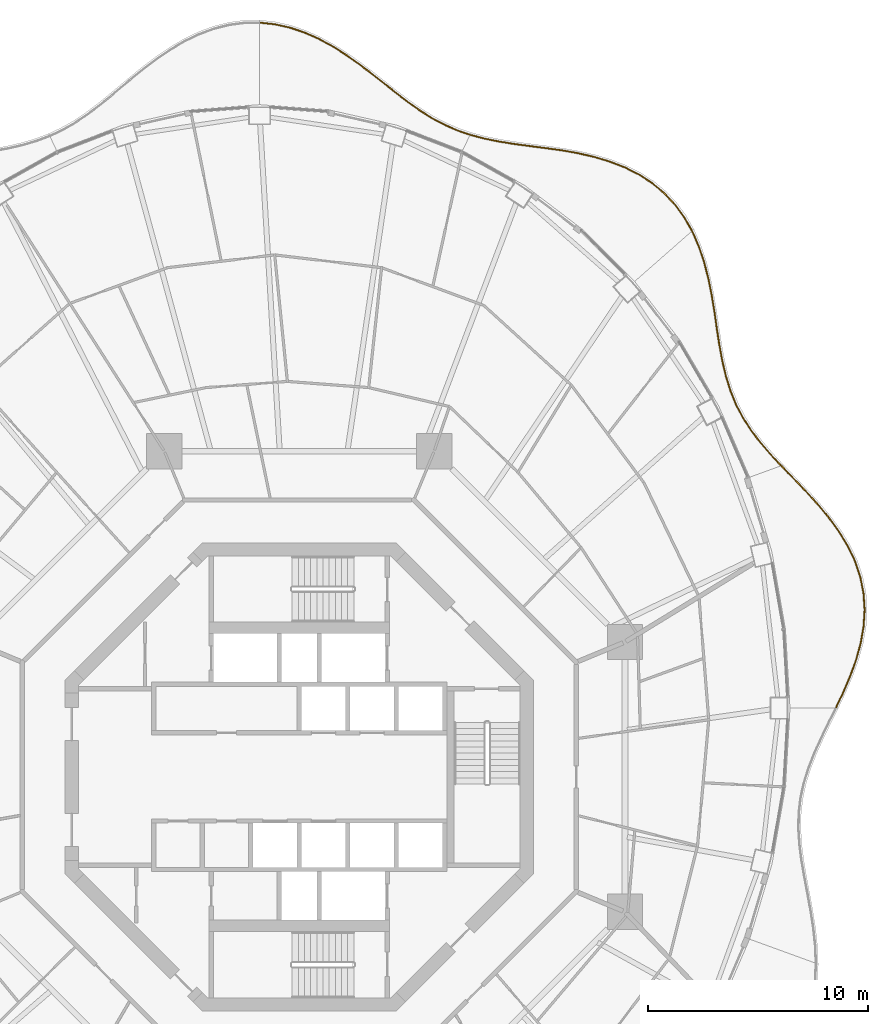
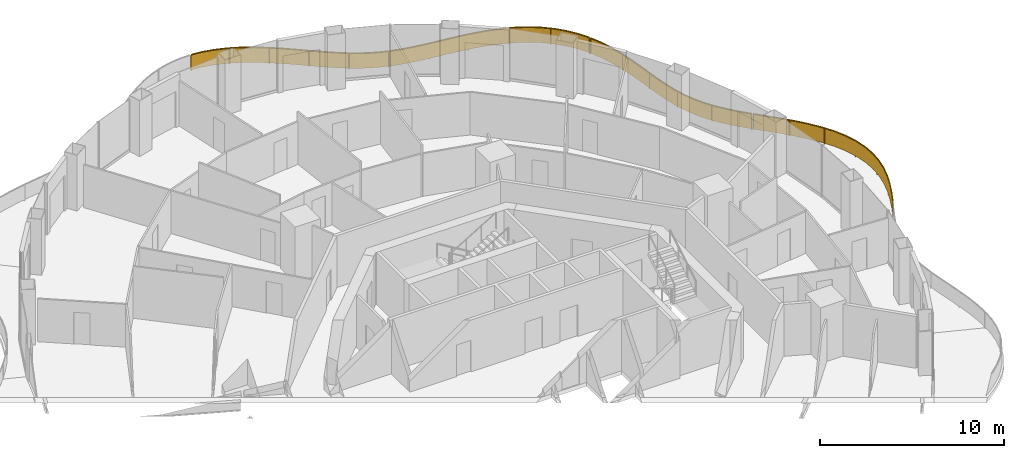
# One storey, part 18 of 18: 4 railings.
"""IFC4 building model written with IfcOpenShell, lengths in metres."""

from ifc_helpers import new_model, si_unit, direction, frame, origin, origin_2d, place, context, subcontext, project, spatial, polyline, rectangle, outline, extrude, material, type_object, element, save


model = new_model("IFC4")

# Units and contexts
model_context = context("Model", 3, precision=1e-05, world=origin(), true_north=direction((0.0, 1.0)))
body_context = subcontext(model_context, "Body", "Model", "MODEL_VIEW")
ifc_project = project(units=[si_unit("LENGTHUNIT", "METRE"), si_unit("AREAUNIT", "SQUARE_METRE"), si_unit("VOLUMEUNIT", "CUBIC_METRE"), si_unit("PLANEANGLEUNIT", "RADIAN"), si_unit("MASSUNIT", "GRAM", prefix="KILO")], contexts=[model_context])

# Site, building, storey
site_placement = place(None, origin())
site = spatial("IfcSite", under=ifc_project, at=site_placement, CompositionType="ELEMENT")
building_placement = place(site_placement, origin())
building = spatial("IfcBuilding", under=site, at=building_placement, Name="Nagisa Residences", CompositionType="ELEMENT")
storey_placement = place(building_placement, frame((0.0, 0.0, 234.39990234375)))
storey = spatial("IfcBuildingStorey", under=building, at=storey_placement, Name="L59", CompositionType="ELEMENT", Elevation=234.39990234375)

# Railings
ifc_material = material(Name="Stainless steel 316", Category="steel")
railing_type = type_object("IfcRailingType", Name="BALCONY GUARD 1100", PredefinedType="BALUSTRADE", material=ifc_material)
railing_1_placement = place(storey_placement, frame((24.3603515625, 3.15185546875, 0.0)))
element("IfcRailing", 1, at=railing_1_placement, inside=storey, type_object=railing_type, Name="guard:L59:bal00-0", PredefinedType="BALUSTRADE", context=body_context, shape_type="SweptSolid", body=[
    extrude(outline(polyline([(0.302001953125, 0.692138671875), (-0.022705078125, 0.0107421875), (0.022705078125, -0.0107421875), (0.347412109375, 0.671630859375), (0.66357421875, 1.40966796875), (0.9345703125, 2.16064453125), (1.143310546875, 2.92041015625), (1.275390625, 3.68408203125), (1.321044921875, 4.4326171875), (1.2705078125, 5.1875), (1.12255859375, 5.927978515625), (0.880126953125, 6.649169921875), (0.5498046875, 7.34716796875), (0.14599609375, 8.00439453125), (-0.32373046875, 8.64794921875), (-0.839111328125, 9.264892578125), (-1.382080078125, 9.857666015625), (-1.933349609375, 10.431640625), (-2.4462890625, 10.959716796875), (-2.482421875, 10.925048828125), (-1.969482421875, 10.39697265625), (-1.418701171875, 9.823486328125), (-0.876708984375, 9.231689453125), (-0.36328125, 8.6171875), (0.1044921875, 7.9765625), (0.505859375, 7.3232421875), (0.833740234375, 6.630615234375), (1.07421875, 5.915283203125), (1.220703125, 5.1806640625), (1.270751953125, 4.4326171875), (1.2255859375, 3.68994140625), (1.094482421875, 2.93115234375), (0.88671875, 2.17578125), (0.6171875, 1.42822265625), (0.302001953125, 0.692138671875)])), frame((0.0, 0.0, 1.050048828125)), (0.0, 0.0, 1.0), 0.050048828125),
    extrude(outline(polyline([(0.318359375, 0.684814453125), (-0.00634765625, 0.0029296875), (0.00634765625, -0.0029296875), (0.3310546875, 0.678955078125), (0.64697265625, 1.416259765625), (0.917236328125, 2.166015625), (1.125732421875, 2.92431640625), (1.257568359375, 3.686279296875), (1.302978515625, 4.4326171875), (1.25244140625, 5.18505859375), (1.105224609375, 5.92333984375), (0.863525390625, 6.642578125), (0.533935546875, 7.338623046875), (0.131103515625, 7.994384765625), (-0.337890625, 8.636962890625), (-0.8525390625, 9.2529296875), (-1.395263671875, 9.845458984375), (-1.9462890625, 10.419189453125), (-2.459228515625, 10.947265625), (-2.469482421875, 10.9375), (-1.95654296875, 10.409423828125), (-1.405517578125, 9.835693359375), (-0.86328125, 9.24365234375), (-0.34912109375, 8.628173828125), (0.119384765625, 7.986572265625), (0.521728515625, 7.331787109375), (0.850341796875, 6.63720703125), (1.091552734375, 5.919921875), (1.23876953125, 5.18310546875), (1.288818359375, 4.4326171875), (1.243408203125, 3.687744140625), (1.112060546875, 2.92724609375), (0.904052734375, 2.17041015625), (0.6337890625, 1.421630859375), (0.318359375, 0.684814453125)])), frame((0.0, 0.0, 0.06005859375)), (0.0, 0.0, 1.0), 0.989990234375),
    extrude(rectangle(XDim=0.0400390625, YDim=0.0400390625, at=origin_2d()), origin(), (0.0, 0.0, 1.0), 1.050048828125),
    extrude(rectangle(XDim=0.0400390625, YDim=0.0400390625, at=origin_2d()), frame((0.812744140625, 1.897216796875, 0.0)), (0.0, 0.0, 1.0), 1.050048828125),
    extrude(rectangle(XDim=0.0400390625, YDim=0.0400390625, at=origin_2d()), frame((1.263916015625, 3.905517578125, 0.0)), (0.0, 0.0, 1.0), 1.050048828125),
    extrude(rectangle(XDim=0.0400390625, YDim=0.0400390625, at=origin_2d()), frame((1.088134765625, 5.9521484375, 0.0)), (0.0, 0.0, 1.0), 1.050048828125),
    extrude(rectangle(XDim=0.0400390625, YDim=0.0400390625, at=origin_2d()), frame((0.229248046875, 7.8212890625, 0.0)), (0.0, 0.0, 1.0), 1.050048828125),
    extrude(rectangle(XDim=0.0400390625, YDim=0.0400390625, at=origin_2d()), frame((-1.039794921875, 9.447021484375, 0.0)), (0.0, 0.0, 1.0), 1.050048828125),
    extrude(rectangle(XDim=0.0400390625, YDim=0.0400390625, at=origin_2d()), frame((-2.46435546875, 10.9423828125, 0.0)), (0.0, 0.0, 1.0), 1.050048828125),
])
railing_2_placement = place(storey_placement, frame((21.8427734375, 14.147216796875, 0.0)))
element("IfcRailing", 2, at=railing_2_placement, inside=storey, type_object=railing_type, Name="guard:L59:bal01-0", PredefinedType="BALUSTRADE", context=body_context, shape_type="SweptSolid", body=[
    extrude(outline(polyline([(-0.490478515625, 0.48876953125), (-0.018310546875, -0.01708984375), (0.018310546875, 0.01708984375), (-0.453369140625, 0.52197265625), (-0.916259765625, 1.0625), (-1.332275390625, 1.612548828125), (-1.6953125, 2.179443359375), (-2.002685546875, 2.76953125), (-2.248779296875, 3.37451171875), (-2.45263671875, 4.023681640625), (-2.615234375, 4.704833984375), (-2.74755859375, 5.416748046875), (-2.863037109375, 6.15478515625), (-2.9677734375, 6.900634765625), (-3.09375, 7.670654296875), (-3.247314453125, 8.441650390625), (-3.442138671875, 9.202392578125), (-3.690185546875, 9.940673828125), (-3.979736328125, 10.6015625), (-4.025634765625, 10.58154296875), (-3.737060546875, 9.922607421875), (-3.489990234375, 9.188232421875), (-3.296142578125, 8.430419921875), (-3.14306640625, 7.661865234375), (-3.01708984375, 6.893310546875), (-2.912353515625, 6.1474609375), (-2.796875, 5.408447265625), (-2.6640625, 4.694580078125), (-2.5009765625, 4.010498046875), (-2.296142578125, 3.357421875), (-2.048095703125, 2.74853515625), (-1.73876953125, 2.154541015625), (-1.373291015625, 1.583740234375), (-0.955322265625, 1.03125), (-0.490478515625, 0.48876953125)])), frame((0.0, 0.0, 1.050048828125)), (0.0, 0.0, 1.0), 0.050048828125),
    extrude(outline(polyline([(-0.47705078125, 0.500732421875), (-0.005126953125, -0.0048828125), (0.005126953125, 0.0048828125), (-0.466796875, 0.510009765625), (-0.930419921875, 1.05126953125), (-1.346923828125, 1.60205078125), (-1.7109375, 2.17041015625), (-2.01904296875, 2.761962890625), (-2.265869140625, 3.368408203125), (-2.469970703125, 4.01904296875), (-2.6328125, 4.701171875), (-2.765380859375, 5.413818359375), (-2.880859375, 6.152099609375), (-2.985595703125, 6.89794921875), (-3.111572265625, 7.66748046875), (-3.264892578125, 8.4375), (-3.459228515625, 9.197265625), (-3.70703125, 9.93408203125), (-3.996337890625, 10.594482421875), (-4.009033203125, 10.588623046875), (-3.72021484375, 9.92919921875), (-3.472900390625, 9.193359375), (-3.278564453125, 8.4345703125), (-3.125244140625, 7.6650390625), (-2.999267578125, 6.89599609375), (-2.89453125, 6.150146484375), (-2.779052734375, 5.411376953125), (-2.646484375, 4.6982421875), (-2.483642578125, 4.01513671875), (-2.279052734375, 3.363525390625), (-2.03173828125, 2.756103515625), (-1.72314453125, 2.16357421875), (-1.358642578125, 1.59423828125), (-0.941162109375, 1.04248046875), (-0.47705078125, 0.500732421875)])), frame((0.0, 0.0, 0.06005859375)), (0.0, 0.0, 1.0), 0.989990234375),
    extrude(rectangle(XDim=0.0400390625, YDim=0.0400390625, at=origin_2d()), origin(), (0.0, 0.0, 1.0), 1.050048828125),
    extrude(rectangle(XDim=0.0400390625, YDim=0.0400390625, at=origin_2d()), frame((-1.46826171875, 1.778564453125, 0.0)), (0.0, 0.0, 1.0), 1.050048828125),
    extrude(rectangle(XDim=0.0400390625, YDim=0.0400390625, at=origin_2d()), frame((-2.429931640625, 3.86767578125, 0.0)), (0.0, 0.0, 1.0), 1.050048828125),
    extrude(rectangle(XDim=0.0400390625, YDim=0.0400390625, at=origin_2d()), frame((-2.884521484375, 6.130126953125, 0.0)), (0.0, 0.0, 1.0), 1.050048828125),
    extrude(rectangle(XDim=0.0400390625, YDim=0.0400390625, at=origin_2d()), frame((-3.26611328125, 8.40771484375, 0.0)), (0.0, 0.0, 1.0), 1.050048828125),
    extrude(rectangle(XDim=0.0400390625, YDim=0.0400390625, at=origin_2d()), frame((-4.002685546875, 10.591552734375, 0.0)), (0.0, 0.0, 1.0), 1.050048828125),
])
railing_3_placement = place(storey_placement, frame((17.805908203125, 24.80810546875, 0.0)))
element("IfcRailing", 3, at=railing_3_placement, inside=storey, type_object=railing_type, Name="guard:L59:bal02-0", PredefinedType="BALUSTRADE", context=body_context, shape_type="SweptSolid", body=[
    extrude(outline(polyline([(-0.354736328125, 0.572998046875), (-0.021728515625, -0.012451171875), (0.021728515625, 0.012451171875), (-0.312744140625, 0.600341796875), (-0.73681640625, 1.178466796875), (-1.225341796875, 1.69921875), (-1.77490234375, 2.157958984375), (-2.38037109375, 2.55224609375), (-3.021240234375, 2.8720703125), (-3.713134765625, 3.1416015625), (-4.432861328125, 3.3564453125), (-5.17041015625, 3.5244140625), (-5.914306640625, 3.656005859375), (-6.641357421875, 3.754150390625), (-7.369873046875, 3.84912109375), (-8.079833984375, 3.945068359375), (-8.765869140625, 4.054931640625), (-9.4248046875, 4.18994140625), (-10.016357421875, 4.34765625), (-10.029052734375, 4.29931640625), (-9.4365234375, 4.14111328125), (-8.774658203125, 4.005615234375), (-8.087158203125, 3.895751953125), (-7.376708984375, 3.79931640625), (-6.647705078125, 3.704345703125), (-5.922119140625, 3.606689453125), (-5.18017578125, 3.4755859375), (-4.445556640625, 3.30810546875), (-3.729248046875, 3.09423828125), (-3.041748046875, 2.826171875), (-2.4052734375, 2.5087890625), (-1.8046875, 2.117431640625), (-1.259521484375, 1.66259765625), (-0.775390625, 1.146240234375), (-0.354736328125, 0.572998046875)])), frame((0.0, 0.0, 1.050048828125)), (0.0, 0.0, 1.0), 0.050048828125),
    extrude(outline(polyline([(-0.339599609375, 0.582763671875), (-0.006103515625, -0.00341796875), (0.006103515625, 0.00341796875), (-0.327880859375, 0.590576171875), (-0.750732421875, 1.166748046875), (-1.237548828125, 1.68603515625), (-1.78564453125, 2.143310546875), (-2.389404296875, 2.53662109375), (-3.028564453125, 2.85546875), (-3.718994140625, 3.12451171875), (-4.4375, 3.339111328125), (-5.173828125, 3.5068359375), (-5.917236328125, 3.63818359375), (-6.6435546875, 3.736083984375), (-7.372314453125, 3.8310546875), (-8.08251953125, 3.92724609375), (-8.76904296875, 4.037109375), (-9.428955078125, 4.17236328125), (-10.02099609375, 4.330322265625), (-10.0244140625, 4.316650390625), (-9.432373046875, 4.15869140625), (-8.771484375, 4.0234375), (-8.08447265625, 3.91357421875), (-7.374267578125, 3.8173828125), (-6.6455078125, 3.722412109375), (-5.919189453125, 3.62451171875), (-5.1767578125, 3.4931640625), (-4.44091796875, 3.325439453125), (-3.723388671875, 3.111328125), (-3.034423828125, 2.8427734375), (-2.396240234375, 2.5244140625), (-1.7939453125, 2.132080078125), (-1.247314453125, 1.67578125), (-0.761474609375, 1.157958984375), (-0.339599609375, 0.582763671875)])), frame((0.0, 0.0, 0.06005859375)), (0.0, 0.0, 1.0), 0.989990234375),
    extrude(rectangle(XDim=0.0400390625, YDim=0.0400390625, at=origin_2d()), origin(), (0.0, 0.0, 1.0), 1.050048828125),
    extrude(rectangle(XDim=0.0400390625, YDim=0.0400390625, at=origin_2d()), frame((-1.382568359375, 1.7978515625, 0.0)), (0.0, 0.0, 1.0), 1.050048828125),
    extrude(rectangle(XDim=0.0400390625, YDim=0.0400390625, at=origin_2d()), frame((-3.328369140625, 2.96484375, 0.0)), (0.0, 0.0, 1.0), 1.050048828125),
    extrude(rectangle(XDim=0.0400390625, YDim=0.0400390625, at=origin_2d()), frame((-5.5263671875, 3.56201171875, 0.0)), (0.0, 0.0, 1.0), 1.050048828125),
    extrude(rectangle(XDim=0.0400390625, YDim=0.0400390625, at=origin_2d()), frame((-7.7861328125, 3.880126953125, 0.0)), (0.0, 0.0, 1.0), 1.050048828125),
    extrude(rectangle(XDim=0.0400390625, YDim=0.0400390625, at=origin_2d()), frame((-10.022705078125, 4.323486328125, 0.0)), (0.0, 0.0, 1.0), 1.050048828125),
])
railing_4_placement = place(storey_placement, frame((7.716064453125, 29.150634765625, 0.0)))
element("IfcRailing", 4, at=railing_4_placement, inside=storey, type_object=railing_type, Name="guard:L59:bal03-0", PredefinedType="BALUSTRADE", context=body_context, shape_type="SweptSolid", body=[
    extrude(outline(polyline([(-0.5546875, 0.166259765625), (-0.00830078125, -0.023681640625), (0.00830078125, 0.023681640625), (-0.53662109375, 0.213134765625), (-1.10107421875, 0.459228515625), (-1.650146484375, 0.750732421875), (-2.189208984375, 1.08544921875), (-2.723876953125, 1.459716796875), (-3.244384765625, 1.861083984375), (-3.79052734375, 2.291015625), (-4.35009765625, 2.732421875), (-4.927978515625, 3.1728515625), (-5.52685546875, 3.597900390625), (-6.131591796875, 3.991455078125), (-6.775146484375, 4.3447265625), (-7.440673828125, 4.642578125), (-8.123291015625, 4.87353515625), (-8.819580078125, 5.029541015625), (-9.474853515625, 5.099609375), (-9.480224609375, 5.0498046875), (-8.827880859375, 4.980224609375), (-8.136962890625, 4.8251953125), (-7.458740234375, 4.595703125), (-6.797607421875, 4.2998046875), (-6.157470703125, 3.948486328125), (-5.55517578125, 3.556396484375), (-4.957763671875, 3.13232421875), (-4.380859375, 2.69287109375), (-3.8212890625, 2.25146484375), (-3.275146484375, 1.821533203125), (-2.753662109375, 1.419189453125), (-2.216552734375, 1.04345703125), (-1.675048828125, 0.707275390625), (-1.123046875, 0.414306640625), (-0.5546875, 0.166259765625)])), frame((0.0, 0.0, 1.050048828125)), (0.0, 0.0, 1.0), 0.050048828125),
    extrude(outline(polyline([(-0.548095703125, 0.18310546875), (-0.002197265625, -0.006591796875), (0.002197265625, 0.006591796875), (-0.543212890625, 0.1962890625), (-1.109130859375, 0.443115234375), (-1.6591796875, 0.735107421875), (-2.198974609375, 1.0703125), (-2.734619140625, 1.445068359375), (-3.25537109375, 1.846923828125), (-3.801513671875, 2.27685546875), (-4.361083984375, 2.71826171875), (-4.938720703125, 3.158203125), (-5.537109375, 3.5830078125), (-6.140869140625, 3.97607421875), (-6.783203125, 4.32861328125), (-7.447265625, 4.625732421875), (-8.128173828125, 4.856201171875), (-8.822509765625, 5.01171875), (-9.476806640625, 5.081787109375), (-9.478271484375, 5.067626953125), (-8.824951171875, 4.998046875), (-8.132080078125, 4.842529296875), (-7.4521484375, 4.612548828125), (-6.78955078125, 4.31591796875), (-6.148193359375, 3.9638671875), (-5.544921875, 3.5712890625), (-4.947021484375, 3.14697265625), (-4.369873046875, 2.70703125), (-3.810302734375, 2.265625), (-3.26416015625, 1.835693359375), (-2.742919921875, 1.433837890625), (-2.206787109375, 1.05859375), (-1.666015625, 0.722900390625), (-1.114990234375, 0.430419921875), (-0.548095703125, 0.18310546875)])), frame((0.0, 0.0, 0.06005859375)), (0.0, 0.0, 1.0), 0.989990234375),
    extrude(rectangle(XDim=0.0400390625, YDim=0.0400390625, at=origin_2d()), origin(), (0.0, 0.0, 1.0), 1.050048828125),
    extrude(rectangle(XDim=0.0400390625, YDim=0.0400390625, at=origin_2d()), frame((-1.96923828125, 0.91943359375, 0.0)), (0.0, 0.0, 1.0), 1.050048828125),
    extrude(rectangle(XDim=0.0400390625, YDim=0.0400390625, at=origin_2d()), frame((-3.7255859375, 2.2080078125, 0.0)), (0.0, 0.0, 1.0), 1.050048828125),
    extrude(rectangle(XDim=0.0400390625, YDim=0.0400390625, at=origin_2d()), frame((-5.464111328125, 3.522705078125, 0.0)), (0.0, 0.0, 1.0), 1.050048828125),
    extrude(rectangle(XDim=0.0400390625, YDim=0.0400390625, at=origin_2d()), frame((-7.364501953125, 4.5810546875, 0.0)), (0.0, 0.0, 1.0), 1.050048828125),
    extrude(rectangle(XDim=0.0400390625, YDim=0.0400390625, at=origin_2d()), frame((-9.4775390625, 5.07470703125, 0.0)), (0.0, 0.0, 1.0), 1.050048828125),
])

save(model, "model.ifc")
